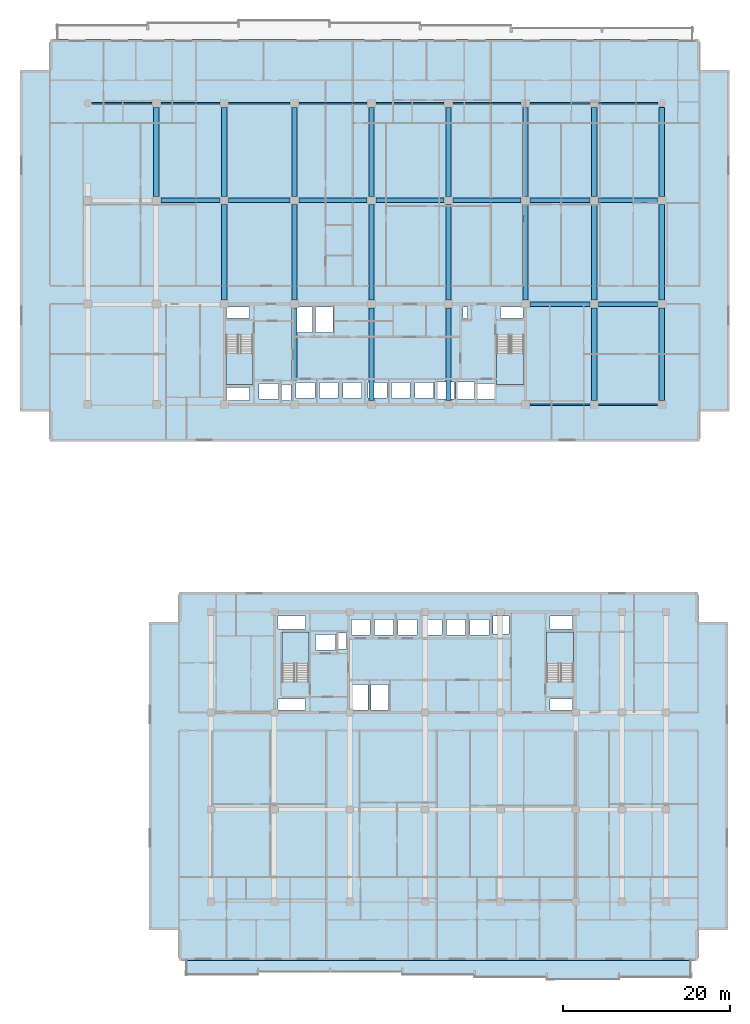
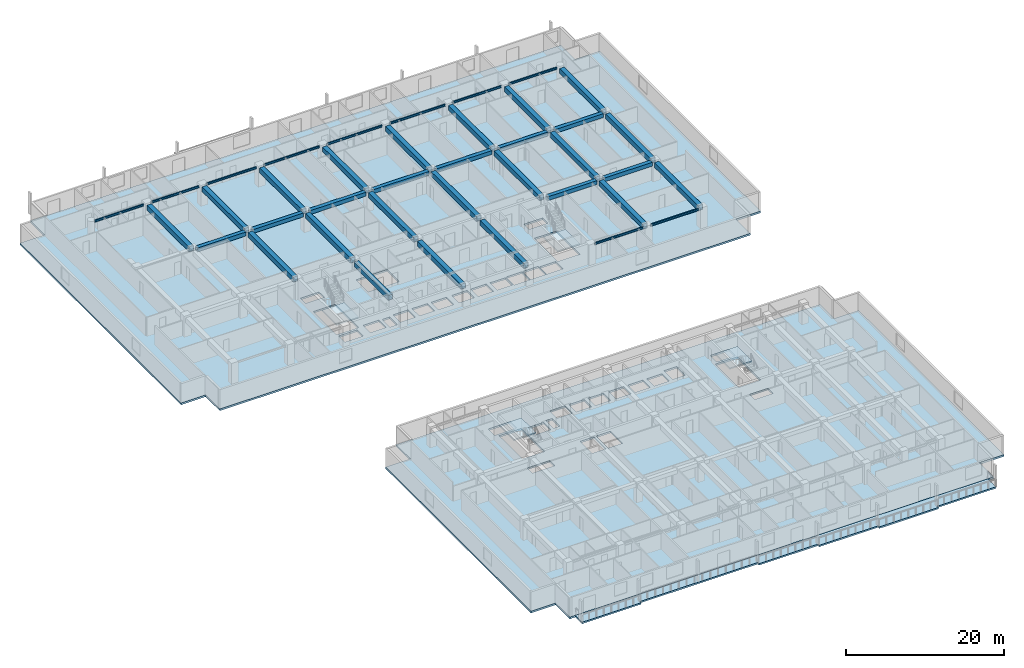
# One storey, part 2 of 23: 39 beams, 7 slabs, 4 elements without a shape of their own.
"""IFC4 building model written with IfcOpenShell, lengths in metres."""

from ifc_helpers import new_model, si_unit, direction, frame, origin, origin_2d, place, context, subcontext, project, spatial, polyline, rectangle, i_section, outline, extrude, material, layer, layer_set, material_profile, profile_set, type_object, element, aggregate, save


model = new_model("IFC4")

# Units and contexts
model_context = context("Model", 3, precision=1e-05, world=origin(), true_north=direction((0.0, 1.0)))
body_context = subcontext(model_context, "Body", "Model", "MODEL_VIEW")
ifc_project = project(units=[si_unit("LENGTHUNIT", "METRE"), si_unit("AREAUNIT", "SQUARE_METRE"), si_unit("VOLUMEUNIT", "CUBIC_METRE"), si_unit("PLANEANGLEUNIT", "RADIAN"), si_unit("MASSUNIT", "GRAM", prefix="KILO")], contexts=[model_context])

# Site, building, storey
site_placement = place(None, origin())
site = spatial("IfcSite", under=ifc_project, at=site_placement, CompositionType="ELEMENT")
building_placement = place(site_placement, origin())
building = spatial("IfcBuilding", under=site, at=building_placement, Name="Korimba Cascade Residences", CompositionType="ELEMENT")
storey_placement = place(building_placement, frame((0.0, 0.0, 72.75)))
storey = spatial("IfcBuildingStorey", under=building, at=storey_placement, Name="L20", CompositionType="ELEMENT", Elevation=72.75)

# Beams
ifc_material_1 = material(Name="Concrete C50/60", Category="concrete")
ifc_material_profile_1 = material_profile(ifc_material_1, rectangle(XDim=0.550048828125, YDim=0.60009765625, at=origin_2d()), Name="Concrete C50/60")
ifc_profile_set_1 = profile_set([ifc_material_profile_1], Name="Concrete C50/60")
beam_type_1 = type_object("IfcBeamType", Name="BM-RC-B600", PredefinedType="BEAM", material=ifc_profile_set_1)
beam_1_placement = place(storey_placement, frame((112.625, 67.199951171875, 2.669921875), z_axis=(1.0, 0.0, 0.0), x_axis=(0.0, 1.0, 0.0)))
element("IfcBeam", 1, at=beam_1_placement, inside=storey, type_object=beam_type_1, Name="L20 T1 E-W Girder Y2 Bay 7", PredefinedType="BEAM", context=body_context, shape_type="SweptSolid", body=[
    extrude(rectangle(XDim=0.550048828125, YDim=0.60009765625, at=origin_2d()), origin(), (0.0, 0.0, 1.0), 7.14990234375),
])
for number, where, z_axis, x_axis, name in (
    (2, (120.824951171875, 67.199951171875, 2.669921875), (1.0, 0.0, 0.0), (0.0, 1.0, 0.0), "L20 T1 E-W Girder Y2 Bay 8"),
    (3, (68.52490234375, 79.60009765625, 2.669921875), (1.0, 0.0, 0.0), (0.0, 1.0, 0.0), "L20 T1 E-W Girder Y3 Bay 2"),
):
    element("IfcBeam", number, at=place(storey_placement, frame(where, z_axis=z_axis, x_axis=x_axis)), inside=storey, type_object=beam_type_1, Name=name, PredefinedType="BEAM", context=body_context, shape_type="SweptSolid", body=[
        extrude(rectangle(XDim=0.550048828125, YDim=0.60009765625, at=origin_2d()), origin(), (0.0, 0.0, 1.0), 7.050048828125),
    ])
beam_2_placement = place(storey_placement, frame((76.625, 79.60009765625, 2.669921875), z_axis=(1.0, 0.0, 0.0), x_axis=(0.0, 1.0, 0.0)))
element("IfcBeam", 4, at=beam_2_placement, inside=storey, type_object=beam_type_1, Name="L20 T1 E-W Girder Y3 Bay 3", PredefinedType="BEAM", context=body_context, shape_type="SweptSolid", body=[
    extrude(rectangle(XDim=0.550048828125, YDim=0.60009765625, at=origin_2d()), origin(), (0.0, 0.0, 1.0), 7.35009765625),
])
beam_3_placement = place(storey_placement, frame((85.02490234375, 79.60009765625, 2.669921875), z_axis=(1.0, 0.0, 0.0), x_axis=(0.0, 1.0, 0.0)))
element("IfcBeam", 5, at=beam_3_placement, inside=storey, type_object=beam_type_1, Name="L20 T1 E-W Girder Y3 Bay 4", PredefinedType="BEAM", context=body_context, shape_type="SweptSolid", body=[
    extrude(rectangle(XDim=0.550048828125, YDim=0.60009765625, at=origin_2d()), origin(), (0.0, 0.0, 1.0), 8.150146484375),
])
for number, where, z_axis, x_axis, name in (
    (6, (94.22509765625, 79.60009765625, 2.669921875), (1.0, 0.0, 0.0), (0.0, 1.0, 0.0), "L20 T1 E-W Girder Y3 Bay 5"),
    (7, (103.425048828125, 79.60009765625, 2.669921875), (1.0, 0.0, 0.0), (0.0, 1.0, 0.0), "L20 T1 E-W Girder Y3 Bay 6"),
):
    element("IfcBeam", number, at=place(storey_placement, frame(where, z_axis=z_axis, x_axis=x_axis)), inside=storey, type_object=beam_type_1, Name=name, PredefinedType="BEAM", context=body_context, shape_type="SweptSolid", body=[
        extrude(rectangle(XDim=0.550048828125, YDim=0.60009765625, at=origin_2d()), origin(), (0.0, 0.0, 1.0), 8.14990234375),
    ])
beam_4_placement = place(storey_placement, frame((112.625, 79.60009765625, 2.669921875), z_axis=(1.0, 0.0, 0.0), x_axis=(0.0, 1.0, 0.0)))
element("IfcBeam", 8, at=beam_4_placement, inside=storey, type_object=beam_type_1, Name="L20 T1 E-W Girder Y3 Bay 7", PredefinedType="BEAM", context=body_context, shape_type="SweptSolid", body=[
    extrude(rectangle(XDim=0.550048828125, YDim=0.60009765625, at=origin_2d()), origin(), (0.0, 0.0, 1.0), 7.14990234375),
])
beam_5_placement = place(storey_placement, frame((120.824951171875, 79.60009765625, 2.669921875), z_axis=(1.0, 0.0, 0.0), x_axis=(0.0, 1.0, 0.0)))
element("IfcBeam", 9, at=beam_5_placement, inside=storey, type_object=beam_type_1, Name="L20 T1 E-W Girder Y3 Bay 8", PredefinedType="BEAM", context=body_context, shape_type="SweptSolid", body=[
    extrude(rectangle(XDim=0.550048828125, YDim=0.60009765625, at=origin_2d()), origin(), (0.0, 0.0, 1.0), 7.050048828125),
])
ifc_material_profile_2 = material_profile(ifc_material_1, rectangle(XDim=0.64990234375, YDim=0.75, at=origin_2d()), Name="Concrete C50/60")
ifc_profile_set_2 = profile_set([ifc_material_profile_2], Name="Concrete C50/60")
beam_type_2 = type_object("IfcBeamType", Name="BM-RC-G750", PredefinedType="BEAM", material=ifc_profile_set_2)
beam_6_placement = place(storey_placement, frame((68.0, 80.074951171875, 2.594970703125), z_axis=(0.0, 1.0, 0.0), x_axis=(-1.0, 0.0, 0.0)))
element("IfcBeam", 10, at=beam_6_placement, inside=storey, type_object=beam_type_2, Name="L20 T1 N-S Girder X2 Seg 3", PredefinedType="BEAM", context=body_context, shape_type="SweptSolid", body=[
    extrude(rectangle(XDim=0.64990234375, YDim=0.75, at=origin_2d()), origin(), (0.0, 0.0, 1.0), 10.650146484375),
])
beam_7_placement = place(storey_placement, frame((76.10009765625, 67.675048828125, 2.594970703125), z_axis=(0.0, 1.0, 0.0), x_axis=(-1.0, 0.0, 0.0)))
element("IfcBeam", 11, at=beam_7_placement, inside=storey, type_object=beam_type_2, Name="L20 T1 N-S Girder X3 Seg 2", PredefinedType="BEAM", context=body_context, shape_type="SweptSolid", body=[
    extrude(rectangle(XDim=0.64990234375, YDim=0.75, at=origin_2d()), origin(), (0.0, 0.0, 1.0), 11.449951171875),
])
beam_8_placement = place(storey_placement, frame((76.10009765625, 80.074951171875, 2.594970703125), z_axis=(0.0, 1.0, 0.0), x_axis=(-1.0, 0.0, 0.0)))
element("IfcBeam", 12, at=beam_8_placement, inside=storey, type_object=beam_type_2, Name="L20 T1 N-S Girder X3 Seg 3", PredefinedType="BEAM", context=body_context, shape_type="SweptSolid", body=[
    extrude(rectangle(XDim=0.64990234375, YDim=0.75, at=origin_2d()), origin(), (0.0, 0.0, 1.0), 10.650146484375),
])
beam_9_placement = place(storey_placement, frame((84.5, 58.159912109375, 2.594970703125), z_axis=(0.0, 1.0, 0.0), x_axis=(-1.0, 0.0, 0.0)))
element("IfcBeam", 13, at=beam_9_placement, inside=storey, type_object=beam_type_2, Name="L20 T1 N-S Girder X4 Seg 1", PredefinedType="BEAM", context=body_context, shape_type="SweptSolid", body=[
    extrude(rectangle(XDim=0.64990234375, YDim=0.75, at=origin_2d()), origin(), (0.0, 0.0, 1.0), 8.565185546875),
])
beam_10_placement = place(storey_placement, frame((84.5, 67.675048828125, 2.594970703125), z_axis=(0.0, 1.0, 0.0), x_axis=(-1.0, 0.0, 0.0)))
element("IfcBeam", 14, at=beam_10_placement, inside=storey, type_object=beam_type_2, Name="L20 T1 N-S Girder X4 Seg 2", PredefinedType="BEAM", context=body_context, shape_type="SweptSolid", body=[
    extrude(rectangle(XDim=0.64990234375, YDim=0.75, at=origin_2d()), origin(), (0.0, 0.0, 1.0), 11.449951171875),
])
beam_11_placement = place(storey_placement, frame((84.5, 80.074951171875, 2.594970703125), z_axis=(0.0, 1.0, 0.0), x_axis=(-1.0, 0.0, 0.0)))
element("IfcBeam", 15, at=beam_11_placement, inside=storey, type_object=beam_type_2, Name="L20 T1 N-S Girder X4 Seg 3", PredefinedType="BEAM", context=body_context, shape_type="SweptSolid", body=[
    extrude(rectangle(XDim=0.64990234375, YDim=0.75, at=origin_2d()), origin(), (0.0, 0.0, 1.0), 10.650146484375),
])
beam_12_placement = place(storey_placement, frame((93.699951171875, 55.675048828125, 2.594970703125), z_axis=(0.0, 1.0, 0.0), x_axis=(-1.0, 0.0, 0.0)))
element("IfcBeam", 16, at=beam_12_placement, inside=storey, type_object=beam_type_2, Name="L20 T1 N-S Girder X5 Seg 1", PredefinedType="BEAM", context=body_context, shape_type="SweptSolid", body=[
    extrude(rectangle(XDim=0.64990234375, YDim=0.75, at=origin_2d()), origin(), (0.0, 0.0, 1.0), 11.050048828125),
])
beam_13_placement = place(storey_placement, frame((93.699951171875, 67.675048828125, 2.594970703125), z_axis=(0.0, 1.0, 0.0), x_axis=(-1.0, 0.0, 0.0)))
element("IfcBeam", 17, at=beam_13_placement, inside=storey, type_object=beam_type_2, Name="L20 T1 N-S Girder X5 Seg 2", PredefinedType="BEAM", context=body_context, shape_type="SweptSolid", body=[
    extrude(rectangle(XDim=0.64990234375, YDim=0.75, at=origin_2d()), origin(), (0.0, 0.0, 1.0), 11.449951171875),
])
beam_14_placement = place(storey_placement, frame((93.699951171875, 80.074951171875, 2.594970703125), z_axis=(0.0, 1.0, 0.0), x_axis=(-1.0, 0.0, 0.0)))
element("IfcBeam", 18, at=beam_14_placement, inside=storey, type_object=beam_type_2, Name="L20 T1 N-S Girder X5 Seg 3", PredefinedType="BEAM", context=body_context, shape_type="SweptSolid", body=[
    extrude(rectangle(XDim=0.64990234375, YDim=0.75, at=origin_2d()), origin(), (0.0, 0.0, 1.0), 10.650146484375),
])
beam_15_placement = place(storey_placement, frame((102.89990234375, 55.675048828125, 2.594970703125), z_axis=(0.0, 1.0, 0.0), x_axis=(-1.0, 0.0, 0.0)))
element("IfcBeam", 19, at=beam_15_placement, inside=storey, type_object=beam_type_2, Name="L20 T1 N-S Girder X6 Seg 1", PredefinedType="BEAM", context=body_context, shape_type="SweptSolid", body=[
    extrude(rectangle(XDim=0.64990234375, YDim=0.75, at=origin_2d()), origin(), (0.0, 0.0, 1.0), 11.050048828125),
])
beam_16_placement = place(storey_placement, frame((102.89990234375, 67.675048828125, 2.594970703125), z_axis=(0.0, 1.0, 0.0), x_axis=(-1.0, 0.0, 0.0)))
element("IfcBeam", 20, at=beam_16_placement, inside=storey, type_object=beam_type_2, Name="L20 T1 N-S Girder X6 Seg 2", PredefinedType="BEAM", context=body_context, shape_type="SweptSolid", body=[
    extrude(rectangle(XDim=0.64990234375, YDim=0.75, at=origin_2d()), origin(), (0.0, 0.0, 1.0), 11.449951171875),
])
beam_17_placement = place(storey_placement, frame((102.89990234375, 80.074951171875, 2.594970703125), z_axis=(0.0, 1.0, 0.0), x_axis=(-1.0, 0.0, 0.0)))
element("IfcBeam", 21, at=beam_17_placement, inside=storey, type_object=beam_type_2, Name="L20 T1 N-S Girder X6 Seg 3", PredefinedType="BEAM", context=body_context, shape_type="SweptSolid", body=[
    extrude(rectangle(XDim=0.64990234375, YDim=0.75, at=origin_2d()), origin(), (0.0, 0.0, 1.0), 10.650146484375),
])
beam_18_placement = place(storey_placement, frame((112.10009765625, 67.675048828125, 2.594970703125), z_axis=(0.0, 1.0, 0.0), x_axis=(-1.0, 0.0, 0.0)))
element("IfcBeam", 22, at=beam_18_placement, inside=storey, type_object=beam_type_2, Name="L20 T1 N-S Girder X7 Seg 2", PredefinedType="BEAM", context=body_context, shape_type="SweptSolid", body=[
    extrude(rectangle(XDim=0.64990234375, YDim=0.75, at=origin_2d()), origin(), (0.0, 0.0, 1.0), 11.449951171875),
])
beam_19_placement = place(storey_placement, frame((112.10009765625, 80.074951171875, 2.594970703125), z_axis=(0.0, 1.0, 0.0), x_axis=(-1.0, 0.0, 0.0)))
element("IfcBeam", 23, at=beam_19_placement, inside=storey, type_object=beam_type_2, Name="L20 T1 N-S Girder X7 Seg 3", PredefinedType="BEAM", context=body_context, shape_type="SweptSolid", body=[
    extrude(rectangle(XDim=0.64990234375, YDim=0.75, at=origin_2d()), origin(), (0.0, 0.0, 1.0), 10.650146484375),
])
beam_20_placement = place(storey_placement, frame((120.300048828125, 55.675048828125, 2.594970703125), z_axis=(0.0, 1.0, 0.0), x_axis=(-1.0, 0.0, 0.0)))
element("IfcBeam", 24, at=beam_20_placement, inside=storey, type_object=beam_type_2, Name="L20 T1 N-S Girder X8 Seg 1", PredefinedType="BEAM", context=body_context, shape_type="SweptSolid", body=[
    extrude(rectangle(XDim=0.64990234375, YDim=0.75, at=origin_2d()), origin(), (0.0, 0.0, 1.0), 11.050048828125),
])
beam_21_placement = place(storey_placement, frame((120.300048828125, 67.675048828125, 2.594970703125), z_axis=(0.0, 1.0, 0.0), x_axis=(-1.0, 0.0, 0.0)))
element("IfcBeam", 25, at=beam_21_placement, inside=storey, type_object=beam_type_2, Name="L20 T1 N-S Girder X8 Seg 2", PredefinedType="BEAM", context=body_context, shape_type="SweptSolid", body=[
    extrude(rectangle(XDim=0.64990234375, YDim=0.75, at=origin_2d()), origin(), (0.0, 0.0, 1.0), 11.449951171875),
])
beam_22_placement = place(storey_placement, frame((120.300048828125, 80.074951171875, 2.594970703125), z_axis=(0.0, 1.0, 0.0), x_axis=(-1.0, 0.0, 0.0)))
element("IfcBeam", 26, at=beam_22_placement, inside=storey, type_object=beam_type_2, Name="L20 T1 N-S Girder X8 Seg 3", PredefinedType="BEAM", context=body_context, shape_type="SweptSolid", body=[
    extrude(rectangle(XDim=0.64990234375, YDim=0.75, at=origin_2d()), origin(), (0.0, 0.0, 1.0), 10.650146484375),
])
beam_23_placement = place(storey_placement, frame((128.39990234375, 55.675048828125, 2.594970703125), z_axis=(0.0, 1.0, 0.0), x_axis=(-1.0, 0.0, 0.0)))
element("IfcBeam", 27, at=beam_23_placement, inside=storey, type_object=beam_type_2, Name="L20 T1 N-S Girder X9 Seg 1", PredefinedType="BEAM", context=body_context, shape_type="SweptSolid", body=[
    extrude(rectangle(XDim=0.64990234375, YDim=0.75, at=origin_2d()), origin(), (0.0, 0.0, 1.0), 11.050048828125),
])
beam_24_placement = place(storey_placement, frame((128.39990234375, 67.675048828125, 2.594970703125), z_axis=(0.0, 1.0, 0.0), x_axis=(-1.0, 0.0, 0.0)))
element("IfcBeam", 28, at=beam_24_placement, inside=storey, type_object=beam_type_2, Name="L20 T1 N-S Girder X9 Seg 2", PredefinedType="BEAM", context=body_context, shape_type="SweptSolid", body=[
    extrude(rectangle(XDim=0.64990234375, YDim=0.75, at=origin_2d()), origin(), (0.0, 0.0, 1.0), 11.449951171875),
])
beam_25_placement = place(storey_placement, frame((128.39990234375, 80.074951171875, 2.594970703125), z_axis=(0.0, 1.0, 0.0), x_axis=(-1.0, 0.0, 0.0)))
element("IfcBeam", 29, at=beam_25_placement, inside=storey, type_object=beam_type_2, Name="L20 T1 N-S Girder X9 Seg 3", PredefinedType="BEAM", context=body_context, shape_type="SweptSolid", body=[
    extrude(rectangle(XDim=0.64990234375, YDim=0.75, at=origin_2d()), origin(), (0.0, 0.0, 1.0), 10.650146484375),
])
ifc_material_2 = material(Name="Steel S355", Category="steel")
ifc_material_profile_3 = material_profile(ifc_material_2, i_section(OverallWidth=0.165771484375, OverallDepth=0.306640625, WebThickness=0.006591796875, FlangeThickness=0.01171875, FilletRadius=0.0087890625, at=origin_2d()), Name="Steel S355")
ifc_profile_set_3 = profile_set([ifc_material_profile_3], Name="Steel S355")
beam_type_3 = type_object("IfcBeamType", Name="BM-STL-UB305", PredefinedType="SPANDREL", material=ifc_profile_set_3)
beam_26_placement = place(storey_placement, frame((112.625, 55.199951171875, 2.816650390625), z_axis=(1.0, 0.0, 0.0), x_axis=(0.0, 1.0, 0.0)))
element("IfcBeam", 30, at=beam_26_placement, inside=storey, type_object=beam_type_3, Name="L20 T1 E-W Girder Y1 Bay 7", PredefinedType="SPANDREL", context=body_context, shape_type="SweptSolid", body=[
    extrude(i_section(OverallWidth=0.165771484375, OverallDepth=0.306640625, WebThickness=0.006591796875, FlangeThickness=0.01171875, FilletRadius=0.0087890625, at=origin_2d()), origin(), (0.0, 0.0, 1.0), 7.14990234375),
])
beam_27_placement = place(storey_placement, frame((120.824951171875, 55.199951171875, 2.816650390625), z_axis=(1.0, 0.0, 0.0), x_axis=(0.0, 1.0, 0.0)))
element("IfcBeam", 31, at=beam_27_placement, inside=storey, type_object=beam_type_3, Name="L20 T1 E-W Girder Y1 Bay 8", PredefinedType="SPANDREL", context=body_context, shape_type="SweptSolid", body=[
    extrude(i_section(OverallWidth=0.165771484375, OverallDepth=0.306640625, WebThickness=0.006591796875, FlangeThickness=0.01171875, FilletRadius=0.0087890625, at=origin_2d()), origin(), (0.0, 0.0, 1.0), 7.050048828125),
])
beam_28_placement = place(storey_placement, frame((60.27490234375, 91.199951171875, 2.816650390625), z_axis=(1.0, 0.0, 0.0), x_axis=(0.0, 1.0, 0.0)))
element("IfcBeam", 32, at=beam_28_placement, inside=storey, type_object=beam_type_3, Name="L20 T1 E-W Girder Y4 Bay 1", PredefinedType="SPANDREL", context=body_context, shape_type="SweptSolid", body=[
    extrude(i_section(OverallWidth=0.165771484375, OverallDepth=0.306640625, WebThickness=0.006591796875, FlangeThickness=0.01171875, FilletRadius=0.0087890625, at=origin_2d()), origin(), (0.0, 0.0, 1.0), 7.2001953125),
])
beam_29_placement = place(storey_placement, frame((68.52490234375, 91.199951171875, 2.816650390625), z_axis=(1.0, 0.0, 0.0), x_axis=(0.0, 1.0, 0.0)))
element("IfcBeam", 33, at=beam_29_placement, inside=storey, type_object=beam_type_3, Name="L20 T1 E-W Girder Y4 Bay 2", PredefinedType="SPANDREL", context=body_context, shape_type="SweptSolid", body=[
    extrude(i_section(OverallWidth=0.165771484375, OverallDepth=0.306640625, WebThickness=0.006591796875, FlangeThickness=0.01171875, FilletRadius=0.0087890625, at=origin_2d()), origin(), (0.0, 0.0, 1.0), 7.050048828125),
])
beam_30_placement = place(storey_placement, frame((76.625, 91.199951171875, 2.816650390625), z_axis=(1.0, 0.0, 0.0), x_axis=(0.0, 1.0, 0.0)))
element("IfcBeam", 34, at=beam_30_placement, inside=storey, type_object=beam_type_3, Name="L20 T1 E-W Girder Y4 Bay 3", PredefinedType="SPANDREL", context=body_context, shape_type="SweptSolid", body=[
    extrude(i_section(OverallWidth=0.165771484375, OverallDepth=0.306640625, WebThickness=0.006591796875, FlangeThickness=0.01171875, FilletRadius=0.0087890625, at=origin_2d()), origin(), (0.0, 0.0, 1.0), 7.35009765625),
])
beam_31_placement = place(storey_placement, frame((85.02490234375, 91.199951171875, 2.816650390625), z_axis=(1.0, 0.0, 0.0), x_axis=(0.0, 1.0, 0.0)))
element("IfcBeam", 35, at=beam_31_placement, inside=storey, type_object=beam_type_3, Name="L20 T1 E-W Girder Y4 Bay 4", PredefinedType="SPANDREL", context=body_context, shape_type="SweptSolid", body=[
    extrude(i_section(OverallWidth=0.165771484375, OverallDepth=0.306640625, WebThickness=0.006591796875, FlangeThickness=0.01171875, FilletRadius=0.0087890625, at=origin_2d()), origin(), (0.0, 0.0, 1.0), 8.150146484375),
])
for number, where, z_axis, x_axis, name in (
    (36, (94.22509765625, 91.199951171875, 2.816650390625), (1.0, 0.0, 0.0), (0.0, 1.0, 0.0), "L20 T1 E-W Girder Y4 Bay 5"),
    (37, (103.425048828125, 91.199951171875, 2.816650390625), (1.0, 0.0, 0.0), (0.0, 1.0, 0.0), "L20 T1 E-W Girder Y4 Bay 6"),
):
    element("IfcBeam", number, at=place(storey_placement, frame(where, z_axis=z_axis, x_axis=x_axis)), inside=storey, type_object=beam_type_3, Name=name, PredefinedType="SPANDREL", context=body_context, shape_type="SweptSolid", body=[
        extrude(i_section(OverallWidth=0.165771484375, OverallDepth=0.306640625, WebThickness=0.006591796875, FlangeThickness=0.01171875, FilletRadius=0.0087890625, at=origin_2d()), origin(), (0.0, 0.0, 1.0), 8.14990234375),
    ])
beam_32_placement = place(storey_placement, frame((112.625, 91.199951171875, 2.816650390625), z_axis=(1.0, 0.0, 0.0), x_axis=(0.0, 1.0, 0.0)))
element("IfcBeam", 38, at=beam_32_placement, inside=storey, type_object=beam_type_3, Name="L20 T1 E-W Girder Y4 Bay 7", PredefinedType="SPANDREL", context=body_context, shape_type="SweptSolid", body=[
    extrude(i_section(OverallWidth=0.165771484375, OverallDepth=0.306640625, WebThickness=0.006591796875, FlangeThickness=0.01171875, FilletRadius=0.0087890625, at=origin_2d()), origin(), (0.0, 0.0, 1.0), 7.14990234375),
])
beam_33_placement = place(storey_placement, frame((120.824951171875, 91.199951171875, 2.816650390625), z_axis=(1.0, 0.0, 0.0), x_axis=(0.0, 1.0, 0.0)))
element("IfcBeam", 39, at=beam_33_placement, inside=storey, type_object=beam_type_3, Name="L20 T1 E-W Girder Y4 Bay 8", PredefinedType="SPANDREL", context=body_context, shape_type="SweptSolid", body=[
    extrude(i_section(OverallWidth=0.165771484375, OverallDepth=0.306640625, WebThickness=0.006591796875, FlangeThickness=0.01171875, FilletRadius=0.0087890625, at=origin_2d()), origin(), (0.0, 0.0, 1.0), 7.10009765625),
])

# Stair, slab
stair_type_1 = type_object("IfcStairType", Name="STR-W1-18R-1806", PredefinedType="HALF_TURN_STAIR", material=ifc_material_1)
stair_1_placement = place(storey_placement, origin())
stair_1 = element("IfcStair", 40, at=stair_1_placement, inside=storey, type_object=stair_type_1, Name="L20 Tower 1 West Fire Stair ST-W1", PredefinedType="HALF_TURN_STAIR")
ifc_layer_1 = layer(ifc_material_1, 0.199951171875)
ifc_layer_set_1 = layer_set([ifc_layer_1], Name="Concrete C50/60")
slab_type_1 = type_object("IfcSlabType", Name="SLB-LND-220", PredefinedType="LANDING", material=ifc_layer_set_1)
slab_1_placement = place(storey_placement, frame((0.0, 0.0, 1.425048828125)))
slab_1 = element("IfcSlab", 41, at=slab_1_placement, type_object=slab_type_1, Name="ST-W1 landing 1", PredefinedType="LANDING", context=body_context, shape_type="SweptSolid", body=[
    extrude(outline(polyline([(76.300048828125, 61.31005859375), (76.300048828125, 57.60009765625), (79.5400390625, 57.60009765625), (79.5400390625, 61.31005859375), (76.300048828125, 61.31005859375)])), origin(), (0.0, 0.0, 1.0), 0.199951171875),
])
aggregate(stair_1, [slab_1])

stair_type_2 = type_object("IfcStairType", Name="STR-W2-18R-1806", PredefinedType="HALF_TURN_STAIR", material=ifc_material_1)
stair_2_placement = place(storey_placement, origin())
stair_2 = element("IfcStair", 42, at=stair_2_placement, inside=storey, type_object=stair_type_2, Name="L20 Tower 1 East Fire Stair ST-W2", PredefinedType="HALF_TURN_STAIR")
slab_2_placement = place(storey_placement, frame((0.0, 0.0, 1.425048828125)))
slab_2 = element("IfcSlab", 43, at=slab_2_placement, type_object=slab_type_1, Name="ST-W2 landing 1", PredefinedType="LANDING", context=body_context, shape_type="SweptSolid", body=[
    extrude(outline(polyline([(108.659912109375, 61.31005859375), (108.659912109375, 57.60009765625), (111.89990234375, 57.60009765625), (111.89990234375, 61.31005859375), (108.659912109375, 61.31005859375)])), origin(), (0.0, 0.0, 1.0), 0.199951171875),
])
aggregate(stair_2, [slab_2])

stair_type_3 = type_object("IfcStairType", Name="STR-E1-18R-1806", PredefinedType="HALF_TURN_STAIR", material=ifc_material_1)
stair_3_placement = place(storey_placement, origin())
stair_3 = element("IfcStair", 44, at=stair_3_placement, inside=storey, type_object=stair_type_3, Name="L20 Tower 2 West Fire Stair ST-E1", PredefinedType="HALF_TURN_STAIR")
slab_3_placement = place(storey_placement, frame((0.0, 0.0, 1.425048828125)))
slab_3 = element("IfcSlab", 45, at=slab_3_placement, type_object=slab_type_1, Name="ST-E1 landing 1", PredefinedType="LANDING", context=body_context, shape_type="SweptSolid", body=[
    extrude(outline(polyline([(86.239990234375, 24.2900390625), (86.239990234375, 28.0), (83.0, 28.0), (83.0, 24.2900390625), (86.239990234375, 24.2900390625)])), origin(), (0.0, 0.0, 1.0), 0.199951171875),
])
aggregate(stair_3, [slab_3])

stair_type_4 = type_object("IfcStairType", Name="STR-E2-18R-1806", PredefinedType="HALF_TURN_STAIR", material=ifc_material_1)
stair_4_placement = place(storey_placement, origin())
stair_4 = element("IfcStair", 46, at=stair_4_placement, inside=storey, type_object=stair_type_4, Name="L20 Tower 2 East Fire Stair ST-E2", PredefinedType="HALF_TURN_STAIR")
slab_4_placement = place(storey_placement, frame((0.0, 0.0, 1.425048828125)))
slab_4 = element("IfcSlab", 47, at=slab_4_placement, type_object=slab_type_1, Name="ST-E2 landing 1", PredefinedType="LANDING", context=body_context, shape_type="SweptSolid", body=[
    extrude(outline(polyline([(117.840087890625, 24.2900390625), (117.840087890625, 28.0), (114.60009765625, 28.0), (114.60009765625, 24.2900390625), (117.840087890625, 24.2900390625)])), origin(), (0.0, 0.0, 1.0), 0.199951171875),
])
aggregate(stair_4, [slab_4])

# Slabs
ifc_material_3 = material(Name="Precast concrete C40/50", Category="concrete")
ifc_layer_2 = layer(ifc_material_3, 0.239990234375)
ifc_layer_set_2 = layer_set([ifc_layer_2], Name="Precast concrete C40/50")
slab_type_2 = type_object("IfcSlabType", Name="SLB-LOG-240", PredefinedType="FLOOR", material=ifc_layer_set_2)
slab_5_placement = place(storey_placement, frame((0.0, 0.0, -0.239990234375)))
element("IfcSlab", 48, at=slab_5_placement, inside=storey, type_object=slab_type_2, Name="L20 Tower 2 South Loggia Slab", PredefinedType="FLOOR", context=body_context, shape_type="SweptSolid", body=[
    extrude(outline(polyline([(71.5, -12.949951171875), (80.128662109375, -12.949951171875), (80.128662109375, -12.64990234375), (97.3857421875, -12.64990234375), (97.3857421875, -12.949951171875), (106.014404296875, -12.949951171875), (106.014404296875, -13.25), (114.642822265625, -13.25), (114.642822265625, -13.550048828125), (123.271484375, -13.550048828125), (123.271484375, -13.25), (131.89990234375, -13.25), (131.89990234375, -11.199951171875), (71.5, -11.199951171875), (71.5, -12.949951171875)])), origin(), (0.0, 0.0, 1.0), 0.239990234375),
])
ifc_layer_3 = layer(ifc_material_1, 0.280029296875)
ifc_layer_set_3 = layer_set([ifc_layer_3], Name="Concrete C50/60")
slab_type_3 = type_object("IfcSlabType", Name="SLB-TYP-280", PredefinedType="FLOOR", material=ifc_layer_set_3)
slab_6_placement = place(storey_placement, frame((0.0, 0.0, -0.280029296875)))
element("IfcSlab", 49, at=slab_6_placement, inside=storey, type_object=slab_type_3, Name="L20 Tower 1 Floor Slab", PredefinedType="FLOOR", context=body_context, shape_type="SweptSolid", body=[
    extrude(outline(polyline([(55.300048828125, 50.800048828125), (132.89990234375, 50.800048828125), (132.89990234375, 54.39990234375), (136.5, 54.39990234375), (136.5, 95.199951171875), (132.89990234375, 95.199951171875), (132.89990234375, 98.800048828125), (55.300048828125, 98.800048828125), (55.300048828125, 95.199951171875), (51.699951171875, 95.199951171875), (51.699951171875, 54.39990234375), (55.300048828125, 54.39990234375), (55.300048828125, 50.800048828125)]), holes=[polyline([(76.300048828125, 63.514892578125), (76.300048828125, 57.60009765625), (79.5400390625, 57.60009765625), (79.5400390625, 63.514892578125), (76.300048828125, 63.514892578125)]), polyline([(108.659912109375, 63.514892578125), (108.659912109375, 57.60009765625), (111.89990234375, 57.60009765625), (111.89990234375, 63.514892578125), (108.659912109375, 63.514892578125)]), polyline([(80.22998046875, 55.8798828125), (82.570068359375, 55.8798828125), (82.570068359375, 57.719970703125), (80.22998046875, 57.719970703125), (80.22998046875, 55.8798828125)]), polyline([(106.080078125, 55.8798828125), (108.419921875, 55.8798828125), (108.419921875, 57.719970703125), (106.080078125, 57.719970703125), (106.080078125, 55.8798828125)]), polyline([(84.679931640625, 55.97998046875), (86.919921875, 55.97998046875), (86.919921875, 57.820068359375), (84.679931640625, 57.820068359375), (84.679931640625, 55.97998046875)]), polyline([(87.47998046875, 55.97998046875), (89.719970703125, 55.97998046875), (89.719970703125, 57.820068359375), (87.47998046875, 57.820068359375), (87.47998046875, 55.97998046875)]), polyline([(90.280029296875, 55.97998046875), (92.52001953125, 55.97998046875), (92.52001953125, 57.820068359375), (90.280029296875, 57.820068359375), (90.280029296875, 55.97998046875)]), polyline([(93.280029296875, 55.97998046875), (95.52001953125, 55.97998046875), (95.52001953125, 57.820068359375), (93.280029296875, 57.820068359375), (93.280029296875, 55.97998046875)]), polyline([(96.080078125, 55.97998046875), (98.320068359375, 55.97998046875), (98.320068359375, 57.820068359375), (96.080078125, 57.820068359375), (96.080078125, 55.97998046875)]), polyline([(98.8798828125, 55.97998046875), (101.1201171875, 55.97998046875), (101.1201171875, 57.820068359375), (98.8798828125, 57.820068359375), (98.8798828125, 55.97998046875)]), polyline([(101.304931640625, 55.8798828125), (103.594970703125, 55.8798828125), (103.594970703125, 57.919921875), (101.304931640625, 57.919921875), (101.304931640625, 55.8798828125)]), polyline([(103.705078125, 55.8798828125), (105.9951171875, 55.8798828125), (105.9951171875, 57.919921875), (103.705078125, 57.919921875), (103.705078125, 55.8798828125)]), polyline([(82.97998046875, 55.679931640625), (84.080078125, 55.679931640625), (84.080078125, 57.6201171875), (82.97998046875, 57.6201171875), (82.97998046875, 55.679931640625)]), polyline([(76.39990234375, 65.56005859375), (79.10009765625, 65.56005859375), (79.10009765625, 66.8798828125), (76.39990234375, 66.8798828125), (76.39990234375, 65.56005859375)]), polyline([(76.39990234375, 55.679931640625), (79.10009765625, 55.679931640625), (79.10009765625, 57.239990234375), (76.39990234375, 57.239990234375), (76.39990234375, 55.679931640625)]), polyline([(84.530029296875, 63.820068359375), (86.6201171875, 63.820068359375), (86.6201171875, 66.8798828125), (84.530029296875, 66.8798828125), (84.530029296875, 63.820068359375)]), polyline([(86.97998046875, 63.820068359375), (89.070068359375, 63.820068359375), (89.070068359375, 66.8798828125), (86.97998046875, 66.8798828125), (86.97998046875, 63.820068359375)]), polyline([(104.6201171875, 65.4599609375), (105.179931640625, 65.4599609375), (105.179931640625, 66.8798828125), (104.6201171875, 66.8798828125), (104.6201171875, 65.4599609375)]), polyline([(109.080078125, 65.56005859375), (111.800048828125, 65.56005859375), (111.800048828125, 66.8798828125), (109.080078125, 66.8798828125), (109.080078125, 65.56005859375)])]), origin(), (0.0, 0.0, 1.0), 0.280029296875),
])
slab_7_placement = place(storey_placement, frame((0.0, 0.0, -0.280029296875)))
element("IfcSlab", 50, at=slab_7_placement, inside=storey, type_object=slab_type_3, Name="L20 Tower 2 Floor Slab", PredefinedType="FLOOR", context=body_context, shape_type="SweptSolid", body=[
    extrude(outline(polyline([(70.699951171875, -11.199951171875), (132.699951171875, -11.199951171875), (132.699951171875, -7.60009765625), (136.300048828125, -7.60009765625), (136.300048828125, 29.199951171875), (132.699951171875, 29.199951171875), (132.699951171875, 32.800048828125), (70.699951171875, 32.800048828125), (70.699951171875, 29.199951171875), (67.10009765625, 29.199951171875), (67.10009765625, -7.60009765625), (70.699951171875, -7.60009765625), (70.699951171875, -11.199951171875)]), holes=[polyline([(86.239990234375, 22.0849609375), (86.239990234375, 28.0), (83.0, 28.0), (83.0, 22.0849609375), (86.239990234375, 22.0849609375)]), polyline([(117.840087890625, 22.0849609375), (117.840087890625, 28.0), (114.60009765625, 28.0), (114.60009765625, 22.0849609375), (117.840087890625, 22.0849609375)]), polyline([(87.030029296875, 25.8798828125), (89.3701171875, 25.8798828125), (89.3701171875, 27.719970703125), (87.030029296875, 27.719970703125), (87.030029296875, 25.8798828125)]), polyline([(91.280029296875, 27.679931640625), (93.52001953125, 27.679931640625), (93.52001953125, 29.52001953125), (91.280029296875, 29.52001953125), (91.280029296875, 27.679931640625)]), polyline([(94.080078125, 27.679931640625), (96.320068359375, 27.679931640625), (96.320068359375, 29.52001953125), (94.080078125, 29.52001953125), (94.080078125, 27.679931640625)]), polyline([(96.8798828125, 27.679931640625), (99.1201171875, 27.679931640625), (99.1201171875, 29.52001953125), (96.8798828125, 29.52001953125), (96.8798828125, 27.679931640625)]), polyline([(99.8798828125, 27.679931640625), (102.1201171875, 27.679931640625), (102.1201171875, 29.52001953125), (99.8798828125, 29.52001953125), (99.8798828125, 27.679931640625)]), polyline([(102.679931640625, 27.679931640625), (104.919921875, 27.679931640625), (104.919921875, 29.52001953125), (102.679931640625, 29.52001953125), (102.679931640625, 27.679931640625)]), polyline([(105.47998046875, 27.679931640625), (107.719970703125, 27.679931640625), (107.719970703125, 29.52001953125), (105.47998046875, 29.52001953125), (105.47998046875, 27.679931640625)]), polyline([(89.780029296875, 25.97998046875), (90.719970703125, 25.97998046875), (90.719970703125, 27.919921875), (89.780029296875, 27.919921875), (89.780029296875, 25.97998046875)]), polyline([(82.530029296875, 18.72998046875), (85.800048828125, 18.72998046875), (85.800048828125, 20.0400390625), (82.530029296875, 20.0400390625), (82.530029296875, 18.72998046875)]), polyline([(82.530029296875, 28.360107421875), (85.800048828125, 28.360107421875), (85.800048828125, 29.969970703125), (82.530029296875, 29.969970703125), (82.530029296875, 28.360107421875)]), polyline([(108.22998046875, 27.780029296875), (110.1201171875, 27.780029296875), (110.1201171875, 29.969970703125), (108.22998046875, 29.969970703125), (108.22998046875, 27.780029296875)]), polyline([(91.22998046875, 18.72998046875), (93.27001953125, 18.72998046875), (93.27001953125, 21.780029296875), (91.22998046875, 21.780029296875), (91.22998046875, 18.72998046875)]), polyline([(93.6298828125, 18.72998046875), (95.719970703125, 18.72998046875), (95.719970703125, 21.780029296875), (93.6298828125, 21.780029296875), (93.6298828125, 18.72998046875)]), polyline([(115.02001953125, 18.72998046875), (117.739990234375, 18.72998046875), (117.739990234375, 20.0400390625), (115.02001953125, 20.0400390625), (115.02001953125, 18.72998046875)]), polyline([(115.02001953125, 28.360107421875), (117.739990234375, 28.360107421875), (117.739990234375, 29.969970703125), (115.02001953125, 29.969970703125), (115.02001953125, 28.360107421875)])]), origin(), (0.0, 0.0, 1.0), 0.280029296875),
])

save(model, "model.ifc")
